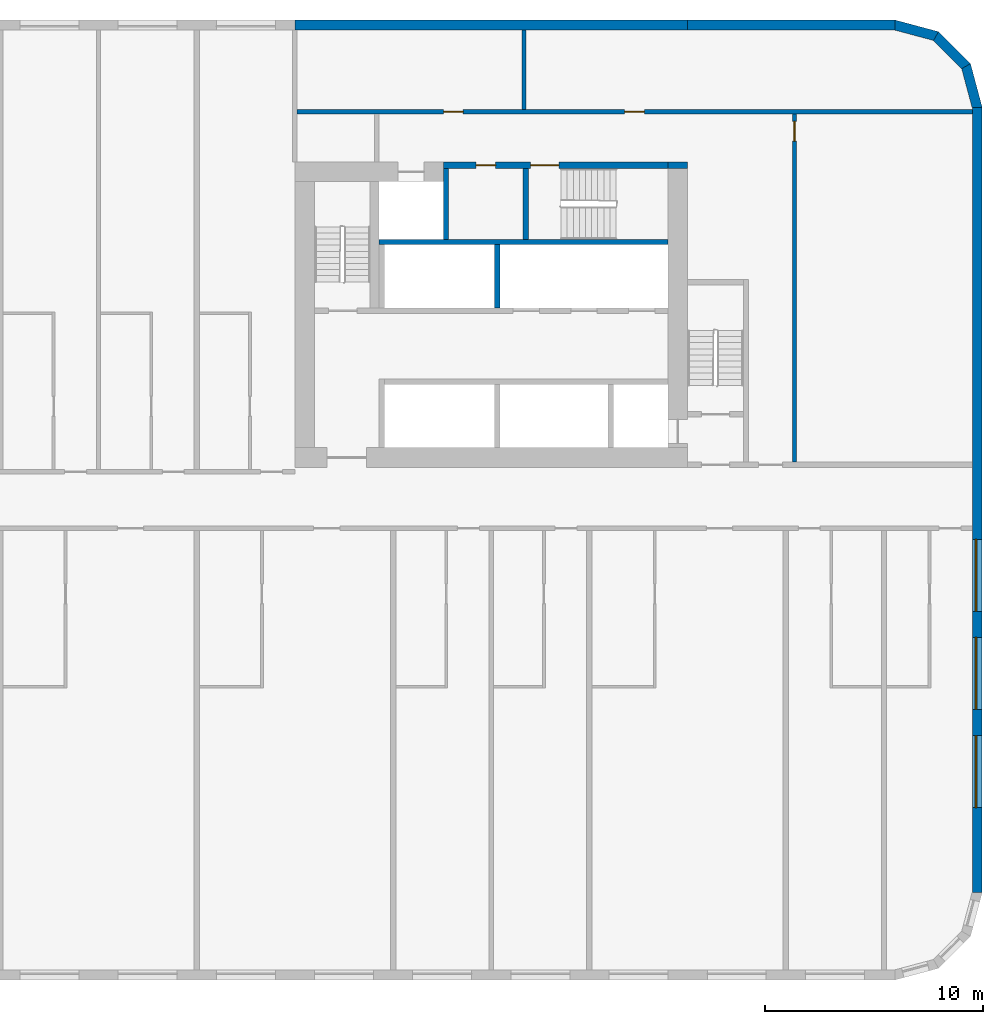
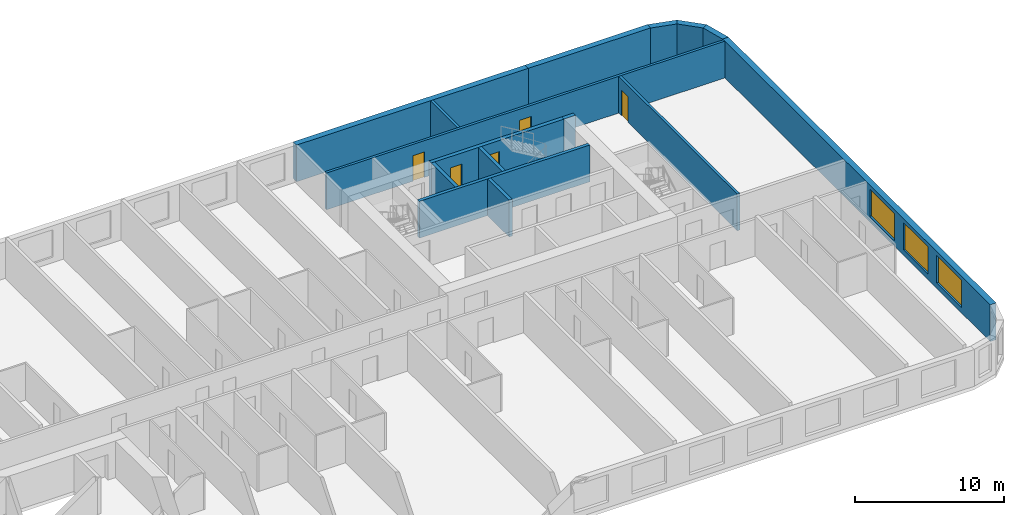
# One storey, part 8 of 12: 15 walls, 5 doors, 3 windows, 8 openings.
"""IFC4 building model written with IfcOpenShell, lengths in metres."""

import ifcopenshell
import ifcopenshell.guid

model = None  # the IFC model being written
_history = None  # IfcOwnerHistory: only IFC2X3 demands one
_inside = {}  # id of a spatial element -> (the spatial element, [elements in it])
_under = {}  # id of a project, library or spatial element -> (it, [spatial elements below it])
_declared = {}  # id of a project -> (the project, [libraries it declares])
_typed = {}  # id of a type object -> (the type object, [elements of that type])
_made_of = {}  # id of a material, layer set ... -> (it, [elements and type objects made of it])


def new_model(schema):
    """Start an empty IFC model of exactly this schema.

    Asked for "IFC4X3", IfcOpenShell would pick the latest addendum, in which some entities
    have other attributes; the version numbers below select the first issue.
    IFC2X3 requires an IfcOwnerHistory on every rooted entity: one is made here for all.
    """
    global model, _history
    if schema == "IFC4X3":
        model = ifcopenshell.file(schema_version=(4, 3, 0, 0))
    else:
        model = ifcopenshell.file(schema=schema)
    _inside.clear()
    _under.clear()
    _declared.clear()
    _typed.clear()
    _made_of.clear()
    _history = None
    if model.schema == "IFC2X3":
        org = make("IfcOrganization", Name="unknown")
        user = make(
            "IfcPersonAndOrganization",
            ThePerson=make("IfcPerson", FamilyName="unknown"),
            TheOrganization=org,
        )
        app = make(
            "IfcApplication",
            ApplicationDeveloper=org,
            Version="unknown",
            ApplicationFullName="unknown",
            ApplicationIdentifier="unknown",
        )
        _history = make(
            "IfcOwnerHistory",
            OwningUser=user,
            OwningApplication=app,
            ChangeAction="ADDED",
            CreationDate=0,
        )
    return model


def make(cls, **values):
    """One entity of the class cls with the attributes given. An attribute that is None is left unset."""
    return model.create_entity(
        cls, **{name: value for name, value in values.items() if value is not None}
    )


def rooted(cls, **values):
    """An entity with a GlobalId (a new one), such as an element, a storey or a relation."""
    return make(cls, GlobalId=ifcopenshell.guid.new(), OwnerHistory=_history, **values)


def si_unit(unit_type, name, prefix=None):
    """IfcSIUnit, for example si_unit("LENGTHUNIT", "METRE", prefix="MILLI")."""
    return make("IfcSIUnit", UnitType=unit_type, Prefix=prefix, Name=name)


def assignment(units):
    """IfcUnitAssignment: the units of a project."""
    return None if units is None else make("IfcUnitAssignment", Units=units)


def point(xyz):
    """IfcCartesianPoint."""
    return None if xyz is None else make("IfcCartesianPoint", Coordinates=xyz)


def direction(xyz):
    """IfcDirection."""
    return None if xyz is None else make("IfcDirection", DirectionRatios=xyz)


def frame(location, z_axis=None, x_axis=None):
    """IfcAxis2Placement3D, a coordinate frame: its origin and axes. An axis left out is left unset."""
    return make(
        "IfcAxis2Placement3D",
        Location=point(location),
        Axis=direction(z_axis),
        RefDirection=direction(x_axis),
    )


def frame_2d(location, x_axis=None):
    """IfcAxis2Placement2D, a coordinate frame in the plane: its origin and x axis."""
    return make(
        "IfcAxis2Placement2D", Location=point(location), RefDirection=direction(x_axis)
    )


def origin():
    """The frame at (0, 0, 0) with its axes left unset."""
    return frame((0.0, 0.0, 0.0))


def place(relative_to, where):
    """IfcLocalPlacement: puts the frame where relative to a parent placement (None: the world)."""
    return make(
        "IfcLocalPlacement", PlacementRelTo=relative_to, RelativePlacement=where
    )


def context(
    kind, dimensions, precision=None, world=None, true_north=None, identifier=None
):
    """IfcGeometricRepresentationContext, for example the 3D "Model" context."""
    return make(
        "IfcGeometricRepresentationContext",
        ContextIdentifier=identifier,
        ContextType=kind,
        CoordinateSpaceDimension=dimensions,
        Precision=precision,
        WorldCoordinateSystem=world,
        TrueNorth=true_north,
    )


def subcontext(parent, identifier, kind, view, scale=None):
    """IfcGeometricRepresentationSubContext, for example "Body" below "Model"."""
    return make(
        "IfcGeometricRepresentationSubContext",
        ContextIdentifier=identifier,
        ContextType=kind,
        ParentContext=parent,
        TargetScale=scale,
        TargetView=view,
    )


def project(units=None, contexts=None):
    """IfcProject with its units and contexts."""
    return rooted(
        "IfcProject",
        Name="project",
        RepresentationContexts=contexts,
        UnitsInContext=assignment(units),
    )


def spatial(cls, under=None, at=None, **own):
    """A site, building, storey or space (cls), placed at a placement, below another one or the project."""
    s = rooted(cls, ObjectPlacement=at, **own)
    if under is not None:
        _under.setdefault(under.id(), (under, []))[1].append(s)
    return s


def polyline(points):
    """IfcPolyline through the points."""
    return make("IfcPolyline", Points=[point(p) for p in points])


def profile(cls, at=None, kind="AREA", **sizes):
    """A parametric profile (cls). Its sizes go by their IFC names, for example OverallWidth=200.0."""
    return make(cls, ProfileType=kind, Position=at, **sizes)


def rectangle(**sizes):
    """IfcRectangleProfileDef."""
    return profile("IfcRectangleProfileDef", **sizes)


def outline(outer, holes=None, kind="AREA"):
    """IfcArbitraryClosedProfileDef: a profile drawn as a closed curve; with holes, ...WithVoids."""
    if holes is None:
        return make("IfcArbitraryClosedProfileDef", ProfileType=kind, OuterCurve=outer)
    return make(
        "IfcArbitraryProfileDefWithVoids",
        ProfileType=kind,
        OuterCurve=outer,
        InnerCurves=holes,
    )


def extrude(swept, where, along, depth):
    """IfcExtrudedAreaSolid: the profile swept, set in the frame where, extruded along a direction by depth."""
    return make(
        "IfcExtrudedAreaSolid",
        SweptArea=swept,
        Position=where,
        ExtrudedDirection=direction(along),
        Depth=depth,
    )


def shape(context_of_items, identifier, shape_type, items):
    """IfcShapeRepresentation: the items that make up one representation, for example the "Body"."""
    return make(
        "IfcShapeRepresentation",
        ContextOfItems=context_of_items,
        RepresentationIdentifier=identifier,
        RepresentationType=shape_type,
        Items=items,
    )


def material(Name=None, Category=None):
    """IfcMaterial."""
    return make("IfcMaterial", Name=Name, Category=Category)


def layer(
    of_material, thickness, ventilated=None, Name=None, Category=None, Priority=None
):
    """IfcMaterialLayer: one layer of a wall or slab, of a material (None: an air gap)."""
    return make(
        "IfcMaterialLayer",
        Material=of_material,
        LayerThickness=thickness,
        IsVentilated=ventilated,
        Name=Name,
        Category=Category,
        Priority=Priority,
    )


def layer_set(layers, Name=None):
    """IfcMaterialLayerSet."""
    return make("IfcMaterialLayerSet", MaterialLayers=layers, LayerSetName=Name)


def made_of(thing, what):
    """Note that an element or type object is made of a material, layer set ...; save() writes the relation."""
    if what is not None:
        _made_of.setdefault(what.id(), (what, []))[1].append(thing)
    return thing


def type_object(cls, material=None, **own):
    """A type object (cls), such as IfcWallType, which elements share."""
    return made_of(rooted(cls, **own), material)


def element(
    cls,
    number,
    at=None,
    inside=None,
    cuts=None,
    type_object=None,
    material=None,
    context=None,
    identifier="Body",
    shape_type=None,
    held_by="IfcProductDefinitionShape",
    body=None,
    shapes=None,
    **own,
):
    """One element of the class cls, such as IfcWall. Its Tag is "e" and its number.

    at: its placement. inside: the storey or other place that contains it. cuts: it is an
    opening in that element (IfcRelVoidsElement). A single representation is given by context,
    identifier, shape_type and body (its items); several are given by shapes. held_by: the class
    of the entity that holds the representations. save() writes the other relations.
    """
    e = rooted(cls, Tag="e%d" % number, ObjectPlacement=at, **own)
    if body is not None:
        shapes = [shape(context, identifier, shape_type, body)]
    if shapes is not None:
        e.Representation = make(held_by, Representations=shapes)
    if inside is not None:
        _inside.setdefault(inside.id(), (inside, []))[1].append(e)
    if cuts is not None:
        rooted(
            "IfcRelVoidsElement", RelatingBuildingElement=cuts, RelatedOpeningElement=e
        )
    if type_object is not None:
        _typed.setdefault(type_object.id(), (type_object, []))[1].append(e)
    return made_of(e, material)


def fill(opening, filler):
    """IfcRelFillsElement: the door or window that sits in an opening."""
    return rooted(
        "IfcRelFillsElement",
        RelatingOpeningElement=opening,
        RelatedBuildingElement=filler,
    )


def aggregate(whole, parts):
    """IfcRelAggregates: a whole, such as a stair, and the parts it consists of."""
    return rooted("IfcRelAggregates", RelatingObject=whole, RelatedObjects=parts)


def save(model, path):
    """Write the relations noted so far, then the file.

    IfcRelAggregates (storeys below a building ...), IfcRelContainedInSpatialStructure (elements
    in a storey), IfcRelDefinesByType, IfcRelAssociatesMaterial and IfcRelDeclares: one each for
    every whole, place, type object, material and project.
    """
    for whole, parts in _under.values():
        aggregate(whole, parts)
    for where, things in _inside.values():
        rooted(
            "IfcRelContainedInSpatialStructure",
            RelatedElements=things,
            RelatingStructure=where,
        )
    for kind, things in _typed.values():
        rooted("IfcRelDefinesByType", RelatedObjects=things, RelatingType=kind)
    for what, things in _made_of.values():
        rooted("IfcRelAssociatesMaterial", RelatedObjects=things, RelatingMaterial=what)
    for by, libraries in _declared.values():
        rooted("IfcRelDeclares", RelatingContext=by, RelatedDefinitions=libraries)
    model.write(path)


model = new_model("IFC4")

# Units and contexts
model_context = context("Model", 3, precision=1e-05, world=origin(), true_north=direction((0.0, 1.0)))
body_context = subcontext(model_context, "Body", "Model", "MODEL_VIEW")
ifc_project = project(units=[si_unit("LENGTHUNIT", "METRE"), si_unit("AREAUNIT", "SQUARE_METRE"), si_unit("VOLUMEUNIT", "CUBIC_METRE"), si_unit("PLANEANGLEUNIT", "RADIAN"), si_unit("MASSUNIT", "GRAM", prefix="KILO")], contexts=[model_context])

# Site, building, storey
site_placement = place(None, origin())
site = spatial("IfcSite", under=ifc_project, at=site_placement, CompositionType="ELEMENT")
building_placement = place(site_placement, origin())
building = spatial("IfcBuilding", under=site, at=building_placement, Name="Kajstack Hotel Tower", CompositionType="ELEMENT")
storey_placement = place(building_placement, frame((0.0, 0.0, 73.199951171875)))
storey = spatial("IfcBuildingStorey", under=building, at=storey_placement, Name="L13", CompositionType="ELEMENT", Elevation=73.199951171875)

# Walls
ifc_material_1 = material(Name="Concrete C60/75", Category="concrete")
ifc_layer_1 = layer(ifc_material_1, 0.89990234375)
ifc_layer_set_1 = layer_set([ifc_layer_1], Name="Core wall 900")
wall_type_1 = type_object("IfcWallType", Name="Core wall 900", PredefinedType="SHEAR", material=ifc_layer_set_1)
wall_1_placement = place(storey_placement, frame((30.60009765625, 15.35009765625, 0.0), z_axis=(0.0, 0.0, 1.0), x_axis=(1.0, 0.0, 0.0)))
element("IfcWall", 1, at=wall_1_placement, inside=storey, type_object=wall_type_1, Name="Core wall E RSW", PredefinedType="SHEAR", context=body_context, shape_type="SweptSolid", body=[
    extrude(rectangle(XDim=0.89990234375, YDim=0.300048828125, at=frame_2d((0.449951171875, 0.0))), origin(), (0.0, 0.0, 1.0), 3.02001953125),
])
ifc_material_2 = material(Name="Concrete C40/50", Category="concrete")
ifc_layer_2 = layer(ifc_material_2, 0.449951171875)
ifc_layer_set_2 = layer_set([ifc_layer_2], Name="EW-CORE")
wall_type_2 = type_object("IfcWallType", Name="EW-CORE", PredefinedType="SOLIDWALL", material=ifc_layer_set_2)
wall_2_placement = place(storey_placement, frame((31.5, 21.77490234375, 0.0), z_axis=(0.0, 0.0, 1.0), x_axis=(-1.0, 0.0, 0.0)))
element("IfcWall", 2, at=wall_2_placement, inside=storey, type_object=wall_type_2, Name="E-wall-L13-11-01", PredefinedType="SOLIDWALL", context=body_context, shape_type="SweptSolid", body=[
    extrude(rectangle(XDim=18.0, YDim=0.449951171875, at=frame_2d((9.0, 0.0))), origin(), (0.0, 0.0, 1.0), 3.02001953125),
])

# Wall, openings, windows
ifc_material_3 = material(Name="Terracotta-faced brick masonry", Category="masonry")
ifc_layer_3 = layer(ifc_material_3, 0.449951171875)
ifc_layer_set_3 = layer_set([ifc_layer_3], Name="EW-TERRA")
wall_type_3 = type_object("IfcWallType", Name="EW-TERRA", PredefinedType="SOLIDWALL", material=ifc_layer_set_3)
wall_3_placement = place(storey_placement, frame((44.77490234375, -18.0, 0.0), z_axis=(0.0, 0.0, 1.0), x_axis=(0.0, 1.0, 0.0)))
wall_3 = element("IfcWall", 3, at=wall_3_placement, inside=storey, type_object=wall_type_3, Name="E-wall-L13-07-00", PredefinedType="SOLIDWALL", context=body_context, shape_type="SweptSolid", body=[
    extrude(rectangle(XDim=36.0, YDim=0.449951171875, at=frame_2d((18.0, 0.0))), origin(), (0.0, 0.0, 1.0), 3.02001953125),
])
opening_1_placement = place(wall_3_placement, frame((3.89990234375, 0.0, 0.449951171875)))
opening_1 = element("IfcOpeningElement", 4, at=opening_1_placement, cuts=wall_3, Name="Opening W2", PredefinedType="OPENING", context=body_context, shape_type="SweptSolid", body=[
    extrude(rectangle(XDim=3.300048828125, YDim=2.25, at=frame_2d((1.64990234375, 1.125))), frame((0.0, 0.23486328125, 0.0), z_axis=(0.0, -1.0, 0.0), x_axis=(1.0, 0.0, 0.0)), (0.0, 0.0, 1.0), 0.469970703125),
])
opening_2_placement = place(wall_3_placement, frame((8.39990234375, 0.0, 0.449951171875)))
opening_2 = element("IfcOpeningElement", 5, at=opening_2_placement, cuts=wall_3, Name="Opening W2", PredefinedType="OPENING", context=body_context, shape_type="SweptSolid", body=[
    extrude(rectangle(XDim=3.300048828125, YDim=2.25, at=frame_2d((1.64990234375, 1.125))), frame((0.0, 0.23486328125, 0.0), z_axis=(0.0, -1.0, 0.0), x_axis=(1.0, 0.0, 0.0)), (0.0, 0.0, 1.0), 0.469970703125),
])
opening_3_placement = place(wall_3_placement, frame((12.89990234375, 0.0, 0.449951171875)))
opening_3 = element("IfcOpeningElement", 6, at=opening_3_placement, cuts=wall_3, Name="Opening W2", PredefinedType="OPENING", context=body_context, shape_type="SweptSolid", body=[
    extrude(rectangle(XDim=3.300048828125, YDim=2.25, at=frame_2d((1.64990234375, 1.125))), frame((0.0, 0.23486328125, 0.0), z_axis=(0.0, -1.0, 0.0), x_axis=(1.0, 0.0, 0.0)), (0.0, 0.0, 1.0), 0.469970703125),
])
ifc_material_4 = material(Name="Timber-aluminium window, triple glazed", Category="wood")
window_type = type_object("IfcWindowType", Name="WG2", PartitioningType="SINGLE_PANEL", PredefinedType="WINDOW", material=ifc_material_4)
window_1_placement = place(opening_1_placement, origin())
window_1 = element("IfcWindow", 7, at=window_1_placement, inside=storey, type_object=window_type, Name="Window W2 L13-07", OverallHeight=2.25, OverallWidth=3.300048828125, PartitioningType="SINGLE_PANEL", PredefinedType="WINDOW", context=body_context, shape_type="SweptSolid", body=[
    extrude(rectangle(XDim=3.300048828125, YDim=2.25, at=frame_2d((1.64990234375, 1.125))), frame((0.0, 0.090087890625, 0.0), z_axis=(0.0, -1.0, 0.0), x_axis=(1.0, 0.0, 0.0)), (0.0, 0.0, 1.0), 0.06005859375),
])
fill(opening_1, window_1)
window_2_placement = place(opening_2_placement, origin())
window_2 = element("IfcWindow", 8, at=window_2_placement, inside=storey, type_object=window_type, Name="Window W2 L13-07", OverallHeight=2.25, OverallWidth=3.300048828125, PartitioningType="SINGLE_PANEL", PredefinedType="WINDOW", context=body_context, shape_type="SweptSolid", body=[
    extrude(rectangle(XDim=3.300048828125, YDim=2.25, at=frame_2d((1.64990234375, 1.125))), frame((0.0, 0.090087890625, 0.0), z_axis=(0.0, -1.0, 0.0), x_axis=(1.0, 0.0, 0.0)), (0.0, 0.0, 1.0), 0.06005859375),
])
fill(opening_2, window_2)
window_3_placement = place(opening_3_placement, origin())
window_3 = element("IfcWindow", 9, at=window_3_placement, inside=storey, type_object=window_type, Name="Window W2 L13-07", OverallHeight=2.25, OverallWidth=3.300048828125, PartitioningType="SINGLE_PANEL", PredefinedType="WINDOW", context=body_context, shape_type="SweptSolid", body=[
    extrude(rectangle(XDim=3.300048828125, YDim=2.25, at=frame_2d((1.64990234375, 1.125))), frame((0.0, 0.090087890625, 0.0), z_axis=(0.0, -1.0, 0.0), x_axis=(1.0, 0.0, 0.0)), (0.0, 0.0, 1.0), 0.06005859375),
])
fill(opening_3, window_3)

# Walls
wall_4_placement = place(storey_placement, frame((44.78271484375, 17.941650390625, 0.0), z_axis=(0.0, 0.0, 1.0), x_axis=(-0.25881466832, 0.965926999034, 0.0)))
element("IfcWall", 10, at=wall_4_placement, inside=storey, type_object=wall_type_3, Name="E-wall-L13-08-00", PredefinedType="SOLIDWALL", context=body_context, shape_type="SweptSolid", body=[
    extrude(outline(polyline([(0.000244140625, -0.22509765625), (2.070556640625, -0.224853515625), (1.9501953125, 0.22509765625), (0.12060546875, 0.22509765625), (0.000244140625, -0.22509765625)])), origin(), (0.0, 0.0, 1.0), 3.02001953125),
])
wall_5_placement = place(storey_placement, frame((44.304931640625, 19.8408203125, 0.0), z_axis=(0.0, 0.0, 1.0), x_axis=(-0.707106781187, 0.707106781187, 0.0)))
element("IfcWall", 11, at=wall_5_placement, inside=storey, type_object=wall_type_3, Name="E-wall-L13-09-00", PredefinedType="SOLIDWALL", context=body_context, shape_type="SweptSolid", body=[
    extrude(outline(polyline([(0.0, -0.22509765625), (2.070556640625, -0.22509765625), (1.949951171875, 0.224853515625), (0.12060546875, 0.224853515625), (0.0, -0.22509765625)])), origin(), (0.0, 0.0, 1.0), 3.02001953125),
])
wall_6_placement = place(storey_placement, frame((42.941650390625, 21.246826171875, 0.0), z_axis=(0.0, 0.0, 1.0), x_axis=(-0.965926999034, 0.25881466832, 0.0)))
element("IfcWall", 12, at=wall_6_placement, inside=storey, type_object=wall_type_3, Name="E-wall-L13-10-00", PredefinedType="SOLIDWALL", context=body_context, shape_type="SweptSolid", body=[
    extrude(outline(polyline([(-0.000244140625, -0.224853515625), (2.0703125, -0.22509765625), (1.949951171875, 0.22509765625), (0.120361328125, 0.22509765625), (-0.000244140625, -0.224853515625)])), origin(), (0.0, 0.0, 1.0), 3.02001953125),
])
wall_7_placement = place(storey_placement, frame((41.0, 21.77490234375, 0.0), z_axis=(0.0, 0.0, 1.0), x_axis=(-1.0, 0.0, 0.0)))
element("IfcWall", 13, at=wall_7_placement, inside=storey, type_object=wall_type_3, Name="E-wall-L13-11-00", PredefinedType="SOLIDWALL", context=body_context, shape_type="SweptSolid", body=[
    extrude(rectangle(XDim=9.5, YDim=0.449951171875, at=frame_2d((4.75, 0.0))), origin(), (0.0, 0.0, 1.0), 3.02001953125),
])
ifc_material_5 = material(Name="Concrete C50/60", Category="concrete")
ifc_layer_4 = layer(ifc_material_5, 0.300048828125)
ifc_layer_set_4 = layer_set([ifc_layer_4], Name="Hoistway divider wall 300")
wall_type_4 = type_object("IfcWallType", Name="Hoistway divider wall 300", PredefinedType="SHEAR", material=ifc_layer_set_4)
wall_8_placement = place(storey_placement, frame((22.77490234375, 8.800048828125, 0.0), z_axis=(0.0, 0.0, 1.0), x_axis=(0.0, 1.0, 0.0)))
element("IfcWall", 14, at=wall_8_placement, inside=storey, type_object=wall_type_4, Name="Core wall E BP2", PredefinedType="SHEAR", context=body_context, shape_type="SweptSolid", body=[
    extrude(rectangle(XDim=2.89990234375, YDim=0.25, at=frame_2d((1.449951171875, 0.0))), origin(), (0.0, 0.0, 1.0), 3.02001953125),
])

# Wall, opening, door
ifc_material_6 = material(Name="Gypsum board on steel studs, mineral wool", Category="steel")
ifc_layer_5 = layer(ifc_material_6, 0.199951171875)
ifc_layer_set_5 = layer_set([ifc_layer_5], Name="Service partition 200")
wall_type_5 = type_object("IfcWallType", Name="Service partition 200", PredefinedType="PARTITIONING", material=ifc_layer_set_5)
wall_9_placement = place(storey_placement, frame((36.39990234375, 1.75, 0.0), z_axis=(0.0, 0.0, 1.0), x_axis=(0.0, 1.0, 0.0)))
wall_9 = element("IfcWall", 15, at=wall_9_placement, inside=storey, type_object=wall_type_5, Name="Partition E WRE", PredefinedType="PARTITIONING", context=body_context, shape_type="SweptSolid", body=[
    extrude(rectangle(XDim=15.949951171875, YDim=0.199951171875, at=frame_2d((7.97509765625, 0.0))), origin(), (0.0, 0.0, 1.0), 3.02001953125),
])
opening_4_placement = place(wall_9_placement, frame((14.699951171875, 0.0, 0.0)))
opening_4 = element("IfcOpeningElement", 16, at=opening_4_placement, cuts=wall_9, Name="Opening 13E15", PredefinedType="OPENING", context=body_context, shape_type="SweptSolid", body=[
    extrude(rectangle(XDim=0.89990234375, YDim=2.10009765625, at=frame_2d((0.449951171875, 1.050048828125))), frame((0.0, 0.10986328125, 0.0), z_axis=(0.0, -1.0, 0.0), x_axis=(1.0, 0.0, 0.0)), (0.0, 0.0, 1.0), 0.219970703125),
])
ifc_material_7 = material(Name="Timber leaf, fire-rated", Category="wood")
door_type_1 = type_object("IfcDoorType", Name="Service door 900", OperationType="SINGLE_SWING_LEFT", PredefinedType="DOOR", material=ifc_material_7)
door_1_placement = place(opening_4_placement, origin())
door_1 = element("IfcDoor", 17, at=door_1_placement, inside=storey, type_object=door_type_1, Name="Door 13E15", OperationType="SINGLE_SWING_RIGHT", OverallHeight=2.10009765625, OverallWidth=0.89990234375, PredefinedType="DOOR", context=body_context, shape_type="SweptSolid", body=[
    extrude(rectangle(XDim=0.89990234375, YDim=2.10009765625, at=frame_2d((0.449951171875, 1.050048828125))), frame((0.0, 0.02490234375, 0.0), z_axis=(0.0, -1.0, 0.0), x_axis=(1.0, 0.0, 0.0)), (0.0, 0.0, 1.0), 0.050048828125),
])
fill(opening_4, door_1)

# Wall, openings, doors
wall_10_placement = place(storey_placement, frame((13.60009765625, 17.800048828125, 0.0), z_axis=(0.0, 0.0, 1.0), x_axis=(1.0, 0.0, 0.0)))
wall_10 = element("IfcWall", 18, at=wall_10_placement, inside=storey, type_object=wall_type_5, Name="Partition E SLN", PredefinedType="PARTITIONING", context=body_context, shape_type="SweptSolid", body=[
    extrude(rectangle(XDim=30.949951171875, YDim=0.199951171875, at=frame_2d((15.47509765625, 0.0))), origin(), (0.0, 0.0, 1.0), 3.02001953125),
])
opening_5_placement = place(wall_10_placement, frame((15.012451171875, 0.0, 0.0)))
opening_5 = element("IfcOpeningElement", 19, at=opening_5_placement, cuts=wall_10, Name="Opening 13E13", PredefinedType="OPENING", context=body_context, shape_type="SweptSolid", body=[
    extrude(rectangle(XDim=0.89990234375, YDim=2.10009765625, at=frame_2d((0.449951171875, 1.050048828125))), frame((0.0, 0.10986328125, 0.0), z_axis=(0.0, -1.0, 0.0), x_axis=(1.0, 0.0, 0.0)), (0.0, 0.0, 1.0), 0.219970703125),
])
opening_6_placement = place(wall_10_placement, frame((6.71240234375, 0.0, 0.0)))
opening_6 = element("IfcOpeningElement", 20, at=opening_6_placement, cuts=wall_10, Name="Opening 13E14", PredefinedType="OPENING", context=body_context, shape_type="SweptSolid", body=[
    extrude(rectangle(XDim=0.89990234375, YDim=2.10009765625, at=frame_2d((0.449951171875, 1.050048828125))), frame((0.0, 0.10986328125, 0.0), z_axis=(0.0, -1.0, 0.0), x_axis=(1.0, 0.0, 0.0)), (0.0, 0.0, 1.0), 0.219970703125),
])
door_2_placement = place(opening_5_placement, origin())
door_2 = element("IfcDoor", 21, at=door_2_placement, inside=storey, type_object=door_type_1, Name="Door 13E13", OperationType="SINGLE_SWING_LEFT", OverallHeight=2.10009765625, OverallWidth=0.89990234375, PredefinedType="DOOR", context=body_context, shape_type="SweptSolid", body=[
    extrude(rectangle(XDim=0.89990234375, YDim=2.10009765625, at=frame_2d((0.449951171875, 1.050048828125))), frame((0.0, 0.02490234375, 0.0), z_axis=(0.0, -1.0, 0.0), x_axis=(1.0, 0.0, 0.0)), (0.0, 0.0, 1.0), 0.050048828125),
])
fill(opening_5, door_2)
door_3_placement = place(opening_6_placement, origin())
door_3 = element("IfcDoor", 22, at=door_3_placement, inside=storey, type_object=door_type_1, Name="Door 13E14", OperationType="SINGLE_SWING_LEFT", OverallHeight=2.10009765625, OverallWidth=0.89990234375, PredefinedType="DOOR", context=body_context, shape_type="SweptSolid", body=[
    extrude(rectangle(XDim=0.89990234375, YDim=2.10009765625, at=frame_2d((0.449951171875, 1.050048828125))), frame((0.0, 0.02490234375, 0.0), z_axis=(0.0, -1.0, 0.0), x_axis=(1.0, 0.0, 0.0)), (0.0, 0.0, 1.0), 0.050048828125),
])
fill(opening_6, door_3)

# Wall
wall_11_placement = place(storey_placement, frame((24.0, 17.89990234375, 0.0), z_axis=(0.0, 0.0, 1.0), x_axis=(0.0, 1.0, 0.0)))
element("IfcWall", 23, at=wall_11_placement, inside=storey, type_object=wall_type_5, Name="Partition E SLP0", PredefinedType="PARTITIONING", context=body_context, shape_type="SweptSolid", body=[
    extrude(rectangle(XDim=3.650146484375, YDim=0.199951171875, at=frame_2d((1.8251953125, 0.0))), origin(), (0.0, 0.0, 1.0), 3.02001953125),
])

# Wall, openings, doors
ifc_layer_6 = layer(ifc_material_5, 0.25)
ifc_layer_set_6 = layer_set([ifc_layer_6], Name="Shaft wall 250")
wall_type_6 = type_object("IfcWallType", Name="Shaft wall 250", PredefinedType="SHEAR", material=ifc_layer_set_6)
wall_12_placement = place(storey_placement, frame((20.300048828125, 15.35009765625, 0.0), z_axis=(0.0, 0.0, 1.0), x_axis=(1.0, 0.0, 0.0)))
wall_12 = element("IfcWall", 24, at=wall_12_placement, inside=storey, type_object=wall_type_6, Name="Core wall E RSS", PredefinedType="SHEAR", context=body_context, shape_type="SweptSolid", body=[
    extrude(rectangle(XDim=10.300048828125, YDim=0.300048828125, at=frame_2d((5.14990234375, 0.0))), origin(), (0.0, 0.0, 1.0), 3.02001953125),
])
opening_7_placement = place(wall_12_placement, frame((4.0, 0.0, 0.0)))
opening_7 = element("IfcOpeningElement", 25, at=opening_7_placement, cuts=wall_12, Name="Opening 13E11", PredefinedType="OPENING", context=body_context, shape_type="SweptSolid", body=[
    extrude(rectangle(XDim=1.300048828125, YDim=2.10009765625, at=frame_2d((0.64990234375, 1.050048828125))), frame((0.0, 0.159912109375, 0.0), z_axis=(0.0, -1.0, 0.0), x_axis=(1.0, 0.0, 0.0)), (0.0, 0.0, 1.0), 0.320068359375),
])
opening_8_placement = place(wall_12_placement, frame((1.5, 0.0, 0.0)))
opening_8 = element("IfcOpeningElement", 26, at=opening_8_placement, cuts=wall_12, Name="Opening 13E12", PredefinedType="OPENING", context=body_context, shape_type="SweptSolid", body=[
    extrude(rectangle(XDim=0.89990234375, YDim=2.10009765625, at=frame_2d((0.449951171875, 1.050048828125))), frame((0.0, 0.159912109375, 0.0), z_axis=(0.0, -1.0, 0.0), x_axis=(1.0, 0.0, 0.0)), (0.0, 0.0, 1.0), 0.320068359375),
])
door_4_placement = place(opening_8_placement, origin())
door_4 = element("IfcDoor", 27, at=door_4_placement, inside=storey, type_object=door_type_1, Name="Door 13E12", OperationType="SINGLE_SWING_RIGHT", OverallHeight=2.10009765625, OverallWidth=0.89990234375, PredefinedType="DOOR", context=body_context, shape_type="SweptSolid", body=[
    extrude(rectangle(XDim=0.89990234375, YDim=2.10009765625, at=frame_2d((0.449951171875, 1.050048828125))), frame((0.0, 0.02490234375, 0.0), z_axis=(0.0, -1.0, 0.0), x_axis=(1.0, 0.0, 0.0)), (0.0, 0.0, 1.0), 0.050048828125),
])
fill(opening_8, door_4)
ifc_material_8 = material(Name="Steel leaf, fire-rated", Category="steel")
door_type_2 = type_object("IfcDoorType", Name="Stair door 1300", OperationType="SINGLE_SWING_LEFT", PredefinedType="DOOR", material=ifc_material_8)
door_5_placement = place(opening_7_placement, origin())
door_5 = element("IfcDoor", 28, at=door_5_placement, inside=storey, type_object=door_type_2, Name="Door 13E11", OperationType="SINGLE_SWING_LEFT", OverallHeight=2.10009765625, OverallWidth=1.300048828125, PredefinedType="DOOR", context=body_context, shape_type="SweptSolid", body=[
    extrude(rectangle(XDim=1.300048828125, YDim=2.10009765625, at=frame_2d((0.64990234375, 1.050048828125))), frame((0.0, 0.02490234375, 0.0), z_axis=(0.0, -1.0, 0.0), x_axis=(1.0, 0.0, 0.0)), (0.0, 0.0, 1.0), 0.050048828125),
])
fill(opening_7, door_5)

# Walls
wall_13_placement = place(storey_placement, frame((17.35009765625, 11.824951171875, 0.0), z_axis=(0.0, 0.0, 1.0), x_axis=(1.0, 0.0, 0.0)))
element("IfcWall", 29, at=wall_13_placement, inside=storey, type_object=wall_type_6, Name="Core wall E RB", PredefinedType="SHEAR", context=body_context, shape_type="SweptSolid", body=[
    extrude(rectangle(XDim=13.25, YDim=0.25, at=frame_2d((6.625, 0.0))), origin(), (0.0, 0.0, 1.0), 3.02001953125),
])
wall_14_placement = place(storey_placement, frame((20.425048828125, 11.949951171875, 0.0), z_axis=(0.0, 0.0, 1.0), x_axis=(0.0, 1.0, 0.0)))
element("IfcWall", 30, at=wall_14_placement, inside=storey, type_object=wall_type_6, Name="Core wall E SVW", PredefinedType="SHEAR", context=body_context, shape_type="SweptSolid", body=[
    extrude(rectangle(XDim=3.25, YDim=0.25, at=frame_2d((1.625, 0.0))), origin(), (0.0, 0.0, 1.0), 3.02001953125),
])
ifc_layer_7 = layer(ifc_material_5, 0.35009765625)
ifc_layer_set_7 = layer_set([ifc_layer_7], Name="Stair enclosure wall 350")
wall_type_7 = type_object("IfcWallType", Name="Stair enclosure wall 350", PredefinedType="SHEAR", material=ifc_layer_set_7)
wall_15_placement = place(storey_placement, frame((24.074951171875, 11.949951171875, 0.0), z_axis=(0.0, 0.0, 1.0), x_axis=(0.0, 1.0, 0.0)))
element("IfcWall", 31, at=wall_15_placement, inside=storey, type_object=wall_type_7, Name="Core wall E W3E", PredefinedType="SHEAR", context=body_context, shape_type="SweptSolid", body=[
    extrude(rectangle(XDim=3.25, YDim=0.25, at=frame_2d((1.625, 0.0))), origin(), (0.0, 0.0, 1.0), 3.02001953125),
])

save(model, "model.ifc")
